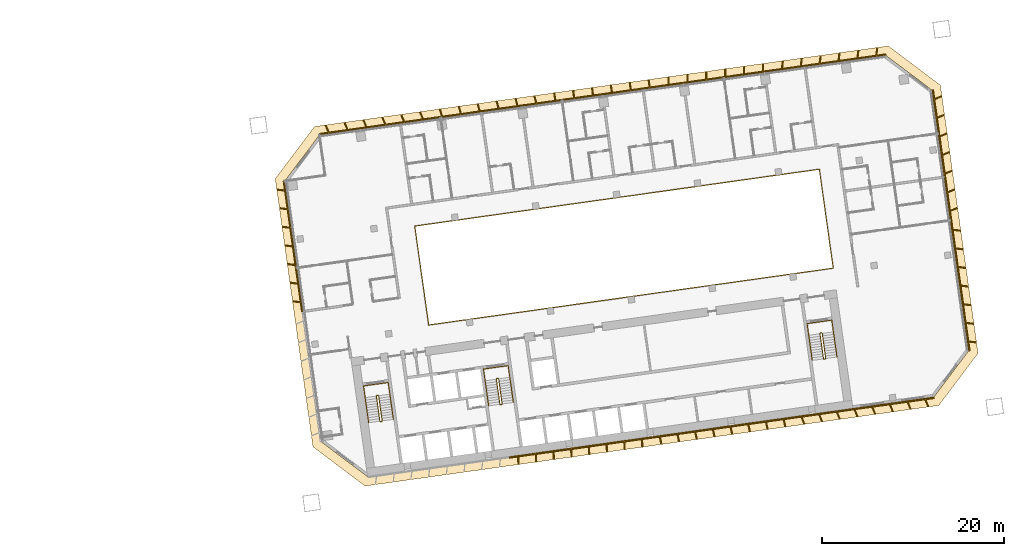
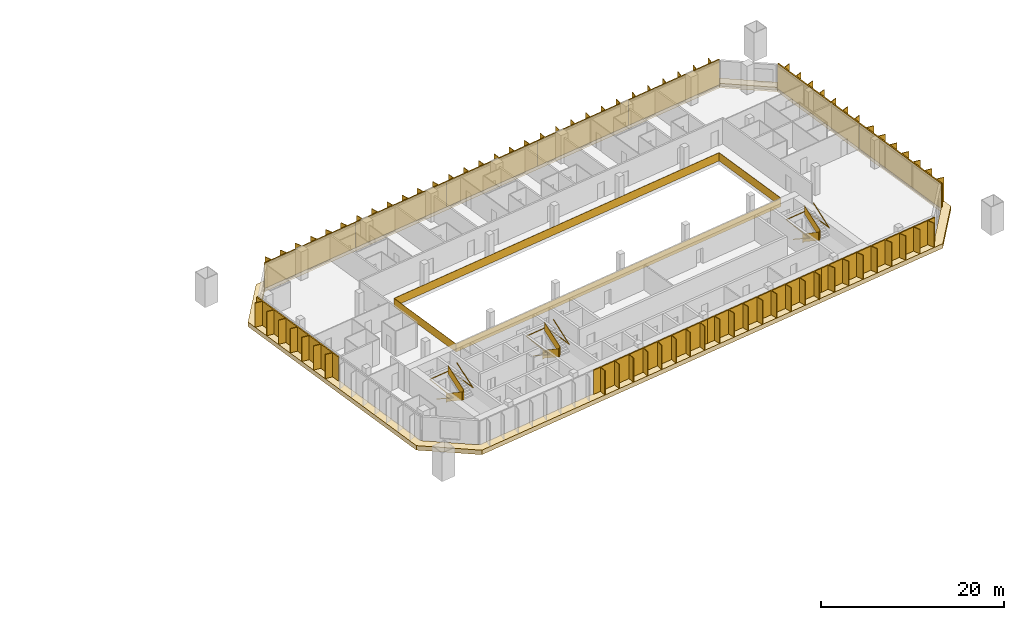
# One storey, part 25 of 25: 11 shading devices, 7 railings, 1 covering.
"""IFC4 building model written with IfcOpenShell, lengths in metres."""

from ifc_helpers import new_model, si_unit, direction, frame, origin, origin_2d, place, context, subcontext, project, spatial, polyline, rectangle, outline, extrude, material, layer, layer_set, type_object, element, save


model = new_model("IFC4")

# Units and contexts
model_context = context("Model", 3, precision=1e-05, world=origin(), true_north=direction((0.0, 1.0)))
body_context = subcontext(model_context, "Body", "Model", "MODEL_VIEW")
ifc_project = project(units=[si_unit("LENGTHUNIT", "METRE"), si_unit("AREAUNIT", "SQUARE_METRE"), si_unit("VOLUMEUNIT", "CUBIC_METRE"), si_unit("PLANEANGLEUNIT", "RADIAN"), si_unit("MASSUNIT", "GRAM", prefix="KILO")], contexts=[model_context])

# Site, building, storey
site_placement = place(None, origin())
site = spatial("IfcSite", under=ifc_project, at=site_placement, CompositionType="ELEMENT")
building_placement = place(site_placement, origin())
building = spatial("IfcBuilding", under=site, at=building_placement, Name="Mirante Cascada Hotel Towers", CompositionType="ELEMENT")
storey_placement = place(building_placement, frame((0.0, 0.0, 54.7)))
storey = spatial("IfcBuildingStorey", under=building, at=storey_placement, Name="L10", CompositionType="ELEMENT", Elevation=54.7)

# Railing
ifc_material_1 = material(Name="Toughened glass with stainless steel handrail", Category="steel")
railing_type_1 = type_object("IfcRailingType", Name="Atrium guard 1100 glass balustrade", PredefinedType="GUARDRAIL", material=ifc_material_1)
railing_1_placement = place(storey_placement, frame((43.8418, -3.4881, 0.0)))
element("IfcRailing", 1, at=railing_1_placement, inside=storey, type_object=railing_type_1, Name="GUARD 2-L10-1", PredefinedType="GUARDRAIL", context=body_context, shape_type="SweptSolid", body=[
    extrude(rectangle(XDim=0.048, YDim=0.048, at=origin_2d()), frame((0.0, 0.0, 1.076), z_axis=(0.9902681, 0.1391732, 0.0), x_axis=(-0.1391732, 0.9902681, 0.0)), (0.0, 0.0, 1.0), 45.0),
    extrude(rectangle(XDim=0.02, YDim=1.052, at=origin_2d()), frame((0.0, 0.0, 0.526), z_axis=(0.9902681, 0.1391732, 0.0), x_axis=(-0.1391732, 0.9902681, 0.0)), (0.0, 0.0, 1.0), 45.0),
    extrude(rectangle(XDim=0.048, YDim=0.048, at=origin_2d()), frame((44.5621, 6.2628, 1.076), z_axis=(-0.1391721, 0.9902682, 0.0), x_axis=(-0.9902682, -0.1391721, 0.0)), (0.0, 0.0, 1.0), 11.0001),
    extrude(rectangle(XDim=0.02, YDim=1.052, at=origin_2d()), frame((44.5621, 6.2628, 0.526), z_axis=(-0.1391721, 0.9902682, 0.0), x_axis=(-0.9902682, -0.1391721, 0.0)), (0.0, 0.0, 1.0), 11.0001),
    extrude(rectangle(XDim=0.048, YDim=0.048, at=origin_2d()), frame((43.0312, 17.1558, 1.076), z_axis=(-0.9902681, -0.1391732, 0.0), x_axis=(0.1391732, -0.9902681, 0.0)), (0.0, 0.0, 1.0), 45.0),
    extrude(rectangle(XDim=0.02, YDim=1.052, at=origin_2d()), frame((43.0312, 17.1558, 0.526), z_axis=(-0.9902681, -0.1391732, 0.0), x_axis=(0.1391732, -0.9902681, 0.0)), (0.0, 0.0, 1.0), 45.0),
    extrude(rectangle(XDim=0.048, YDim=0.048, at=origin_2d()), frame((-1.5309, 10.893, 1.076), z_axis=(0.1391721, -0.9902682, 0.0), x_axis=(0.9902682, 0.1391721, 0.0)), (0.0, 0.0, 1.0), 11.0001),
    extrude(rectangle(XDim=0.02, YDim=1.052, at=origin_2d()), frame((-1.5309, 10.893, 0.526), z_axis=(0.1391721, -0.9902682, 0.0), x_axis=(0.9902682, 0.1391721, 0.0)), (0.0, 0.0, 1.0), 11.0001),
])

# Covering
ifc_material_2 = material(Name="Precast concrete C40/50 white", Category="concrete")
ifc_layer = layer(ifc_material_2, 0.6)
ifc_layer_set = layer_set([ifc_layer], Name="Precast concrete SUNSHADE band 1000x600")
covering_type = type_object("IfcCoveringType", Name="Precast concrete SUNSHADE band 1000x600", PredefinedType="CLADDING", material=ifc_layer_set)
covering_placement = place(storey_placement, frame((0.0, 0.0, -0.45)))
element("IfcCovering", 2, at=covering_placement, inside=storey, type_object=covering_type, Name="Precast concrete SUNSHADE band T2 L10", PredefinedType="CLADDING", context=body_context, shape_type="SweptSolid", body=[
    extrude(outline(polyline([(26.9341, 12.6299), (31.2626, 18.374), (94.4698, 27.2572), (100.2139, 22.9287), (104.3652, -6.6094), (100.0367, -12.3535), (36.8295, -21.2367), (31.0854, -16.9082), (26.9341, 12.6299)]), holes=[polyline([(103.3173, -6.3384), (99.2813, 22.3794), (94.1988, 26.2093), (31.8119, 17.4414), (27.982, 12.3589), (32.018, -16.3589), (37.1005, -20.1888), (99.4874, -11.4209), (103.3173, -6.3384)])]), origin(), (0.0, 0.0, 1.0), 0.6),
])

# Railings
ifc_material_3 = material(Name="Painted steel", Category="steel")
railing_type_2 = type_object("IfcRailingType", Name="Stair guard 1100 steel balustrade", PredefinedType="GUARDRAIL", material=ifc_material_3)
railing_2_placement = place(storey_placement, frame((38.2663, -11.2395, 0.0)))
element("IfcRailing", 3, at=railing_2_placement, inside=storey, type_object=railing_type_2, Name="L10 ST2-A stair guard 1", PredefinedType="GUARDRAIL", context=body_context, shape_type="SweptSolid", body=[
    extrude(rectangle(XDim=0.048, YDim=0.048, at=origin_2d()), frame((0.0, 0.0, 1.076), z_axis=(-0.9903326, -0.1387133, 0.0), x_axis=(0.1387133, -0.9903326, 0.0)), (0.0, 0.0, 1.0), 0.1499),
    extrude(rectangle(XDim=0.02, YDim=1.052, at=origin_2d()), frame((0.0, 0.0, 0.526), z_axis=(-0.9903326, -0.1387133, 0.0), x_axis=(0.1387133, -0.9903326, 0.0)), (0.0, 0.0, 1.0), 0.1499),
    extrude(rectangle(XDim=0.048, YDim=0.048, at=origin_2d()), frame((-0.1485, -0.0208, 1.076), z_axis=(-0.6020331, -0.7984711, 0.0), x_axis=(0.7984711, -0.6020331, 0.0)), (0.0, 0.9253398, 0.3791387), 0.1866),
    extrude(rectangle(XDim=0.02, YDim=1.052, at=origin_2d()), frame((-0.1485, -0.0208, 0.526), z_axis=(-0.6020331, -0.7984711, 0.0), x_axis=(0.7984711, -0.6020331, 0.0)), (0.0, 0.9253398, 0.3791387), 0.1866),
    extrude(rectangle(XDim=0.048, YDim=0.048, at=origin_2d()), frame((-0.1911, -0.0773, 1.2487), z_axis=(0.139176, -0.9902677, 0.0), x_axis=(0.9902677, 0.139176, 0.0)), (0.0, 0.5250212, 0.8510891), 3.29),
    extrude(rectangle(XDim=0.02, YDim=1.052, at=origin_2d()), frame((-0.1911, -0.0773, 0.6987), z_axis=(0.139176, -0.9902677, 0.0), x_axis=(0.9902677, 0.139176, 0.0)), (0.0, 0.5250212, 0.8510891), 3.29),
    extrude(rectangle(XDim=0.048, YDim=0.048, at=origin_2d()), frame((0.1986, -2.8501, 2.976), z_axis=(0.9944948, -0.1047858, 0.0), x_axis=(0.1047858, 0.9944948, 0.0)), (0.0, 0.0, 1.0), 0.2061),
    extrude(rectangle(XDim=0.02, YDim=1.052, at=origin_2d()), frame((0.1986, -2.8501, 2.426), z_axis=(0.9944948, -0.1047858, 0.0), x_axis=(0.1047858, 0.9944948, 0.0)), (0.0, 0.0, 1.0), 0.2061),
    extrude(rectangle(XDim=0.048, YDim=0.048, at=origin_2d()), frame((0.4036, -2.8717, 2.976), z_axis=(-0.9902408, -0.1393672, 0.0), x_axis=(0.1393672, -0.9902408, 0.0)), (0.0, 0.0, 1.0), 0.15),
    extrude(rectangle(XDim=0.02, YDim=1.052, at=origin_2d()), frame((0.4036, -2.8717, 2.426), z_axis=(-0.9902408, -0.1393672, 0.0), x_axis=(0.1393672, -0.9902408, 0.0)), (0.0, 0.0, 1.0), 0.15),
    extrude(rectangle(XDim=0.048, YDim=0.048, at=origin_2d()), frame((0.2551, -2.8926, 2.976), z_axis=(0.9270311, 0.3749843, 0.0), x_axis=(-0.3749843, 0.9270311, 0.0)), (0.0, 0.6421903, 0.7665452), 0.2689),
    extrude(rectangle(XDim=0.02, YDim=1.052, at=origin_2d()), frame((0.2551, -2.8926, 2.426), z_axis=(0.9270311, 0.3749843, 0.0), x_axis=(-0.3749843, 0.9270311, 0.0)), (0.0, 0.6421903, 0.7665452), 0.2689),
    extrude(rectangle(XDim=0.048, YDim=0.048, at=origin_2d()), frame((0.4462, -2.8153, 3.1487), z_axis=(-0.139176, 0.9902677, 0.0), x_axis=(-0.9902677, -0.139176, 0.0)), (0.0, 0.5250212, 0.8510891), 3.29),
    extrude(rectangle(XDim=0.02, YDim=1.052, at=origin_2d()), frame((0.4462, -2.8153, 2.5987), z_axis=(-0.139176, 0.9902677, 0.0), x_axis=(-0.9902677, -0.139176, 0.0)), (0.0, 0.5250212, 0.8510891), 3.29),
])
railing_3_placement = place(storey_placement, frame((51.4864, -9.3815, 0.0)))
element("IfcRailing", 4, at=railing_3_placement, inside=storey, type_object=railing_type_2, Name="L10 ST2-B stair guard 1", PredefinedType="GUARDRAIL", context=body_context, shape_type="SweptSolid", body=[
    extrude(rectangle(XDim=0.048, YDim=0.048, at=origin_2d()), frame((0.0, 0.0, 1.076), z_axis=(-0.9902408, -0.1393672, 0.0), x_axis=(0.1393672, -0.9902408, 0.0)), (0.0, 0.0, 1.0), 0.15),
    extrude(rectangle(XDim=0.02, YDim=1.052, at=origin_2d()), frame((0.0, 0.0, 0.526), z_axis=(-0.9902408, -0.1393672, 0.0), x_axis=(0.1393672, -0.9902408, 0.0)), (0.0, 0.0, 1.0), 0.15),
    extrude(rectangle(XDim=0.048, YDim=0.048, at=origin_2d()), frame((-0.1485, -0.0209, 1.076), z_axis=(-0.6020331, -0.7984711, 0.0), x_axis=(0.7984711, -0.6020331, 0.0)), (0.0, 0.9253398, 0.3791387), 0.1866),
    extrude(rectangle(XDim=0.02, YDim=1.052, at=origin_2d()), frame((-0.1485, -0.0209, 0.526), z_axis=(-0.6020331, -0.7984711, 0.0), x_axis=(0.7984711, -0.6020331, 0.0)), (0.0, 0.9253398, 0.3791387), 0.1866),
    extrude(rectangle(XDim=0.048, YDim=0.048, at=origin_2d()), frame((-0.1911, -0.0774, 1.2487), z_axis=(0.139181, -0.990267, 0.0), x_axis=(0.990267, 0.139181, 0.0)), (0.0, 0.5250347, 0.8510808), 3.2899),
    extrude(rectangle(XDim=0.02, YDim=1.052, at=origin_2d()), frame((-0.1911, -0.0774, 0.6987), z_axis=(0.139181, -0.990267, 0.0), x_axis=(0.990267, 0.139181, 0.0)), (0.0, 0.5250347, 0.8510808), 3.2899),
    extrude(rectangle(XDim=0.048, YDim=0.048, at=origin_2d()), frame((0.1986, -2.8501, 2.976), z_axis=(0.9944441, -0.1052656, 0.0), x_axis=(0.1052656, 0.9944441, 0.0)), (0.0, 0.0, 1.0), 0.2061),
    extrude(rectangle(XDim=0.02, YDim=1.052, at=origin_2d()), frame((0.1986, -2.8501, 2.426), z_axis=(0.9944441, -0.1052656, 0.0), x_axis=(0.1052656, 0.9944441, 0.0)), (0.0, 0.0, 1.0), 0.2061),
    extrude(rectangle(XDim=0.048, YDim=0.048, at=origin_2d()), frame((0.4036, -2.8718, 2.976), z_axis=(-0.9902408, -0.1393672, 0.0), x_axis=(0.1393672, -0.9902408, 0.0)), (0.0, 0.0, 1.0), 0.15),
    extrude(rectangle(XDim=0.02, YDim=1.052, at=origin_2d()), frame((0.4036, -2.8718, 2.426), z_axis=(-0.9902408, -0.1393672, 0.0), x_axis=(0.1393672, -0.9902408, 0.0)), (0.0, 0.0, 1.0), 0.15),
    extrude(rectangle(XDim=0.048, YDim=0.048, at=origin_2d()), frame((0.2551, -2.8927, 2.976), z_axis=(0.9268624, 0.3754011, 0.0), x_axis=(-0.3754011, 0.9268624, 0.0)), (0.0, 0.6421217, 0.7666028), 0.269),
    extrude(rectangle(XDim=0.02, YDim=1.052, at=origin_2d()), frame((0.2551, -2.8927, 2.426), z_axis=(0.9268624, 0.3754011, 0.0), x_axis=(-0.3754011, 0.9268624, 0.0)), (0.0, 0.6421217, 0.7666028), 0.269),
    extrude(rectangle(XDim=0.048, YDim=0.048, at=origin_2d()), frame((0.4462, -2.8153, 3.1487), z_axis=(-0.139181, 0.990267, 0.0), x_axis=(-0.990267, -0.139181, 0.0)), (0.0, 0.5250347, 0.8510808), 3.2899),
    extrude(rectangle(XDim=0.02, YDim=1.052, at=origin_2d()), frame((0.4462, -2.8153, 2.5987), z_axis=(-0.139181, 0.990267, 0.0), x_axis=(-0.990267, -0.139181, 0.0)), (0.0, 0.5250347, 0.8510808), 3.2899),
])
railing_4_placement = place(storey_placement, frame((87.1361, -4.3713, 0.0)))
element("IfcRailing", 5, at=railing_4_placement, inside=storey, type_object=railing_type_2, Name="L10 ST2-C stair guard 1", PredefinedType="GUARDRAIL", context=body_context, shape_type="SweptSolid", body=[
    extrude(rectangle(XDim=0.048, YDim=0.048, at=origin_2d()), frame((0.0, 0.0, 1.076), z_axis=(-0.9902537, -0.1392753, 0.0), x_axis=(0.1392753, -0.9902537, 0.0)), (0.0, 0.0, 1.0), 0.1501),
    extrude(rectangle(XDim=0.02, YDim=1.052, at=origin_2d()), frame((0.0, 0.0, 0.526), z_axis=(-0.9902537, -0.1392753, 0.0), x_axis=(0.1392753, -0.9902537, 0.0)), (0.0, 0.0, 1.0), 0.1501),
    extrude(rectangle(XDim=0.048, YDim=0.048, at=origin_2d()), frame((-0.1486, -0.0209, 1.076), z_axis=(-0.601811, -0.7986386, 0.0), x_axis=(0.7986386, -0.601811, 0.0)), (0.0, 0.925603, 0.3784959), 0.1866),
    extrude(rectangle(XDim=0.02, YDim=1.052, at=origin_2d()), frame((-0.1486, -0.0209, 0.526), z_axis=(-0.601811, -0.7986386, 0.0), x_axis=(0.7986386, -0.601811, 0.0)), (0.0, 0.925603, 0.3784959), 0.1866),
    extrude(rectangle(XDim=0.048, YDim=0.048, at=origin_2d()), frame((-0.1911, -0.0773, 1.2487), z_axis=(0.139176, -0.9902677, 0.0), x_axis=(0.9902677, 0.139176, 0.0)), (0.0, 0.5250212, 0.8510891), 3.29),
    extrude(rectangle(XDim=0.02, YDim=1.052, at=origin_2d()), frame((-0.1911, -0.0773, 0.6987), z_axis=(0.139176, -0.9902677, 0.0), x_axis=(0.9902677, 0.139176, 0.0)), (0.0, 0.5250212, 0.8510891), 3.29),
    extrude(rectangle(XDim=0.048, YDim=0.048, at=origin_2d()), frame((0.1986, -2.8501, 2.976), z_axis=(0.9944441, -0.1052656, 0.0), x_axis=(0.1052656, 0.9944441, 0.0)), (0.0, 0.0, 1.0), 0.2061),
    extrude(rectangle(XDim=0.02, YDim=1.052, at=origin_2d()), frame((0.1986, -2.8501, 2.426), z_axis=(0.9944441, -0.1052656, 0.0), x_axis=(0.1052656, 0.9944441, 0.0)), (0.0, 0.0, 1.0), 0.2061),
    extrude(rectangle(XDim=0.048, YDim=0.048, at=origin_2d()), frame((0.4036, -2.8718, 2.976), z_axis=(-0.9903454, -0.1386217, 0.0), x_axis=(0.1386217, -0.9903454, 0.0)), (0.0, 0.0, 1.0), 0.15),
    extrude(rectangle(XDim=0.02, YDim=1.052, at=origin_2d()), frame((0.4036, -2.8718, 2.426), z_axis=(-0.9903454, -0.1386217, 0.0), x_axis=(0.1386217, -0.9903454, 0.0)), (0.0, 0.0, 1.0), 0.15),
    extrude(rectangle(XDim=0.048, YDim=0.048, at=origin_2d()), frame((0.255, -2.8926, 2.976), z_axis=(0.9270311, 0.3749843, 0.0), x_axis=(-0.3749843, 0.9270311, 0.0)), (0.0, 0.6421903, 0.7665452), 0.2689),
    extrude(rectangle(XDim=0.02, YDim=1.052, at=origin_2d()), frame((0.255, -2.8926, 2.426), z_axis=(0.9270311, 0.3749843, 0.0), x_axis=(-0.3749843, 0.9270311, 0.0)), (0.0, 0.6421903, 0.7665452), 0.2689),
    extrude(rectangle(XDim=0.048, YDim=0.048, at=origin_2d()), frame((0.4461, -2.8153, 3.1487), z_axis=(-0.139176, 0.9902677, 0.0), x_axis=(-0.9902677, -0.139176, 0.0)), (0.0, 0.5250212, 0.8510891), 3.29),
    extrude(rectangle(XDim=0.02, YDim=1.052, at=origin_2d()), frame((0.4461, -2.8153, 2.5987), z_axis=(-0.139176, 0.9902677, 0.0), x_axis=(-0.9902677, -0.139176, 0.0)), (0.0, 0.5250212, 0.8510891), 3.29),
])
ifc_material_4 = material(Name="Painted steel", Category="steel")
railing_type_3 = type_object("IfcRailingType", Name="Stair handrail 900 steel tube", PredefinedType="HANDRAIL", material=ifc_material_4)
railing_5_placement = place(storey_placement, frame((36.8374, -11.4908, 0.1727)))
element("IfcRailing", 6, at=railing_5_placement, inside=storey, type_object=railing_type_3, Name="L10 ST2-A stair handrail 1", PredefinedType="HANDRAIL", context=body_context, shape_type="SweptSolid", body=[
    extrude(rectangle(XDim=0.048, YDim=0.048, at=origin_2d()), frame((0.0, 0.0, 0.876), z_axis=(0.139181, -0.990267, 0.0), x_axis=(0.990267, 0.139181, 0.0)), (0.0, 0.5250347, 0.8510808), 3.2899),
    extrude(rectangle(XDim=0.048, YDim=0.048, at=origin_2d()), frame((0.3897, -2.7727, 2.6033), z_axis=(-0.1391707, 0.9902684, 0.0), x_axis=(-0.9902684, -0.1391707, 0.0)), (0.0, 0.0420846, 0.999114), 4.1036),
    extrude(rectangle(XDim=0.048, YDim=0.048, at=origin_2d()), frame((-0.1809, 1.2874, 2.776), z_axis=(0.9902691, 0.1391657, 0.0), x_axis=(-0.1391657, 0.9902691, 0.0)), (0.0, 0.0, 1.0), 2.75),
    extrude(rectangle(XDim=0.048, YDim=0.048, at=origin_2d()), frame((2.5423, 1.6701, 2.776), z_axis=(0.1391707, -0.9902684, 0.0), x_axis=(0.9902684, 0.1391707, 0.0)), (0.0, 0.0, 1.0), 4.1),
    extrude(rectangle(XDim=0.048, YDim=0.048, at=origin_2d()), frame((3.1129, -2.39, 2.776), z_axis=(-0.139181, 0.990267, 0.0), x_axis=(-0.990267, -0.139181, 0.0)), (0.0, 0.5250347, 0.8510808), 3.2899),
])
railing_6_placement = place(storey_placement, frame((50.0575, -9.6328, 0.1727)))
element("IfcRailing", 7, at=railing_6_placement, inside=storey, type_object=railing_type_3, Name="L10 ST2-B stair handrail 1", PredefinedType="HANDRAIL", context=body_context, shape_type="SweptSolid", body=[
    extrude(rectangle(XDim=0.048, YDim=0.048, at=origin_2d()), frame((0.0, 0.0, 0.876), z_axis=(0.139176, -0.9902677, 0.0), x_axis=(0.9902677, 0.139176, 0.0)), (0.0, 0.5250212, 0.8510891), 3.29),
    extrude(rectangle(XDim=0.048, YDim=0.048, at=origin_2d()), frame((0.3897, -2.7728, 2.6033), z_axis=(-0.1391707, 0.9902684, 0.0), x_axis=(-0.9902684, -0.1391707, 0.0)), (0.0, 0.0420846, 0.999114), 4.1036),
    extrude(rectangle(XDim=0.048, YDim=0.048, at=origin_2d()), frame((-0.1809, 1.2873, 2.776), z_axis=(0.9902641, 0.1392013, 0.0), x_axis=(-0.1392013, 0.9902641, 0.0)), (0.0, 0.0, 1.0), 2.75),
    extrude(rectangle(XDim=0.048, YDim=0.048, at=origin_2d()), frame((2.5423, 1.6701, 2.776), z_axis=(0.1391707, -0.9902684, 0.0), x_axis=(0.9902684, 0.1391707, 0.0)), (0.0, 0.0, 1.0), 4.1),
    extrude(rectangle(XDim=0.048, YDim=0.048, at=origin_2d()), frame((3.1129, -2.39, 2.776), z_axis=(-0.139181, 0.990267, 0.0), x_axis=(-0.990267, -0.139181, 0.0)), (0.0, 0.5250347, 0.8510808), 3.2899),
])
railing_7_placement = place(storey_placement, frame((85.7071, -4.6226, 0.1727)))
element("IfcRailing", 8, at=railing_7_placement, inside=storey, type_object=railing_type_3, Name="L10 ST2-C stair handrail 1", PredefinedType="HANDRAIL", context=body_context, shape_type="SweptSolid", body=[
    extrude(rectangle(XDim=0.048, YDim=0.048, at=origin_2d()), frame((0.0, 0.0, 0.876), z_axis=(0.139181, -0.990267, 0.0), x_axis=(0.990267, 0.139181, 0.0)), (0.0, 0.5250347, 0.8510808), 3.2899),
    extrude(rectangle(XDim=0.048, YDim=0.048, at=origin_2d()), frame((0.3897, -2.7727, 2.6033), z_axis=(-0.1391707, 0.9902684, 0.0), x_axis=(-0.9902684, -0.1391707, 0.0)), (0.0, 0.0420846, 0.999114), 4.1036),
    extrude(rectangle(XDim=0.048, YDim=0.048, at=origin_2d()), frame((-0.1809, 1.2874, 2.776), z_axis=(0.9902691, 0.1391657, 0.0), x_axis=(-0.1391657, 0.9902691, 0.0)), (0.0, 0.0, 1.0), 2.75),
    extrude(rectangle(XDim=0.048, YDim=0.048, at=origin_2d()), frame((2.5423, 1.6701, 2.776), z_axis=(0.1391947, -0.990265, 0.0), x_axis=(0.990265, 0.1391947, 0.0)), (0.0, 0.0, 1.0), 4.1),
    extrude(rectangle(XDim=0.048, YDim=0.048, at=origin_2d()), frame((3.113, -2.39, 2.776), z_axis=(-0.139181, 0.990267, 0.0), x_axis=(-0.990267, -0.139181, 0.0)), (0.0, 0.5250347, 0.8510808), 3.2899),
])

# Shading devices
ifc_material_5 = material(Name="White precast concrete C50/60 fin", Category="concrete")
shading_device_type = type_object("IfcShadingDeviceType", Name="Vertical fin set 4500x900", PredefinedType="USERDEFINED", material=ifc_material_5)
shading_device_1_placement = place(storey_placement, origin())
element("IfcShadingDevice", 9, at=shading_device_1_placement, inside=storey, type_object=shading_device_type, Name="FIN T2 L10 front 1", ObjectType="FIN", PredefinedType="USERDEFINED", context=body_context, shape_type="SweptSolid", body=[
    extrude(outline(polyline([(82.8967, 25.5893), (82.7946, 24.758), (84.7922, 25.0387), (84.8968, 25.8913), (84.9762, 25.8815), (84.8742, 25.0503), (86.8717, 25.331), (86.9764, 26.1835), (87.0558, 26.1738), (86.9537, 25.3425), (88.9513, 25.6233), (89.056, 26.4758), (89.1354, 26.4661), (89.0333, 25.6348), (91.0308, 25.9155), (91.1355, 26.7681), (91.2149, 26.7583), (91.1129, 25.9271), (93.1104, 26.2078), (93.2151, 27.0603), (93.2945, 27.0506), (93.1924, 26.2193), (94.1779, 26.3578), (94.1988, 26.2093), (81.7214, 24.4557), (81.7006, 24.6042), (82.7126, 24.7465), (82.8173, 25.599), (82.8967, 25.5893)])), origin(), (0.0, 0.0, 1.0), 3.35),
])
shading_device_2_placement = place(storey_placement, origin())
element("IfcShadingDevice", 10, at=shading_device_2_placement, inside=storey, type_object=shading_device_type, Name="FIN T2 L10 front 2", ObjectType="FIN", PredefinedType="USERDEFINED", context=body_context, shape_type="SweptSolid", body=[
    extrude(outline(polyline([(70.3021, 23.8476), (70.3094, 23.0033), (72.3091, 23.2844), (72.3016, 24.1392), (72.3816, 24.1399), (72.389, 23.2956), (74.3886, 23.5766), (74.3812, 24.4314), (74.4612, 24.4321), (74.4686, 23.5878), (76.4682, 23.8689), (76.4608, 24.7237), (76.5407, 24.7244), (76.5481, 23.8801), (78.5478, 24.1611), (78.5403, 25.0159), (78.6203, 25.0166), (78.6277, 24.1724), (80.6273, 24.4534), (80.6199, 25.3082), (80.6999, 25.3089), (80.7072, 24.4646), (81.7006, 24.6042), (81.7214, 24.4557), (69.2441, 22.7021), (69.2232, 22.8507), (70.2295, 22.9921), (70.2221, 23.8469), (70.3021, 23.8476)])), origin(), (0.0, 0.0, 1.0), 3.35),
])
shading_device_3_placement = place(storey_placement, origin())
element("IfcShadingDevice", 11, at=shading_device_3_placement, inside=storey, type_object=shading_device_type, Name="FIN T2 L10 front 3", ObjectType="FIN", PredefinedType="USERDEFINED", context=body_context, shape_type="SweptSolid", body=[
    extrude(outline(polyline([(57.7069, 22.0905), (57.8252, 21.2488), (59.8255, 21.5299), (59.7072, 22.3716), (59.7865, 22.3828), (59.9048, 21.541), (61.9051, 21.8222), (61.7868, 22.6639), (61.866, 22.675), (61.9843, 21.8333), (63.9847, 22.1144), (63.8664, 22.9562), (63.9456, 22.9673), (64.0639, 22.1256), (66.0642, 22.4067), (65.9459, 23.2484), (66.0251, 23.2596), (66.1434, 22.4178), (68.1438, 22.699), (68.0255, 23.5407), (68.1047, 23.5518), (68.223, 22.7101), (69.2232, 22.8507), (69.2441, 22.7021), (56.7667, 20.9485), (56.7458, 21.0971), (57.746, 21.2376), (57.6277, 22.0794), (57.7069, 22.0905)])), origin(), (0.0, 0.0, 1.0), 3.35),
])
shading_device_4_placement = place(storey_placement, origin())
element("IfcShadingDevice", 12, at=shading_device_4_placement, inside=storey, type_object=shading_device_type, Name="FIN T2 L10 front 4", ObjectType="FIN", PredefinedType="USERDEFINED", context=body_context, shape_type="SweptSolid", body=[
    extrude(outline(polyline([(45.1132, 20.3181), (45.3416, 19.4943), (47.3413, 19.7754), (47.1157, 20.589), (47.1928, 20.6103), (47.4212, 19.7866), (49.4209, 20.0676), (49.1952, 20.8812), (49.2723, 20.9026), (49.5008, 20.0789), (51.5004, 20.3599), (51.2748, 21.1735), (51.3519, 21.1949), (51.5803, 20.3711), (53.58, 20.6521), (53.3544, 21.4657), (53.4314, 21.4871), (53.6599, 20.6634), (55.6595, 20.9444), (55.4339, 21.758), (55.511, 21.7794), (55.7394, 20.9556), (56.7458, 21.0971), (56.7667, 20.9485), (44.2893, 19.195), (44.2684, 19.3435), (45.2617, 19.4831), (45.0361, 20.2967), (45.1132, 20.3181)])), origin(), (0.0, 0.0, 1.0), 3.35),
])
shading_device_5_placement = place(storey_placement, origin())
element("IfcShadingDevice", 13, at=shading_device_5_placement, inside=storey, type_object=shading_device_type, Name="FIN T2 L10 front 5", ObjectType="FIN", PredefinedType="USERDEFINED", context=body_context, shape_type="SweptSolid", body=[
    extrude(outline(polyline([(32.5229, 18.5306), (32.8586, 17.7399), (34.8561, 18.0207), (34.5289, 18.7916), (34.6025, 18.8229), (34.9381, 18.0322), (36.9357, 18.3129), (36.6084, 19.0839), (36.6821, 19.1151), (37.0177, 18.3245), (39.0152, 18.6052), (38.688, 19.3761), (38.7616, 19.4074), (39.0973, 18.6167), (41.0948, 18.8975), (40.7676, 19.6684), (40.8412, 19.6997), (41.1768, 18.909), (43.1744, 19.1897), (42.8471, 19.9607), (42.9208, 19.9919), (43.2564, 19.2013), (44.2684, 19.3435), (44.2893, 19.195), (31.8119, 17.4414), (31.791, 17.5899), (32.7765, 17.7284), (32.4493, 18.4994), (32.5229, 18.5306)])), origin(), (0.0, 0.0, 1.0), 3.35),
])
shading_device_6_placement = place(storey_placement, origin())
element("IfcShadingDevice", 14, at=shading_device_6_placement, inside=storey, type_object=shading_device_type, Name="FIN T2 L10 inner 1", ObjectType="FIN", PredefinedType="USERDEFINED", context=body_context, shape_type="SweptSolid", body=[
    extrude(outline(polyline([(28.8684, -0.8389), (29.6997, -0.941), (29.4229, 1.0283), (28.5704, 1.133), (28.5801, 1.2124), (29.4114, 1.1103), (29.1346, 3.0796), (28.2821, 3.1842), (28.2918, 3.2636), (29.1231, 3.1616), (28.8464, 5.1308), (27.9938, 5.2355), (28.0036, 5.3149), (28.8348, 5.2128), (28.5581, 7.1821), (27.7055, 7.2868), (27.7153, 7.3662), (28.5465, 7.2641), (28.2698, 9.2334), (27.4172, 9.338), (27.427, 9.4174), (28.2583, 9.3154), (27.9815, 11.2846), (27.1289, 11.3893), (27.1387, 11.4687), (27.97, 11.3667), (27.8334, 12.338), (27.982, 12.3589), (30.0, -2.0), (29.8515, -2.0209), (29.7112, -1.023), (28.8587, -0.9183), (28.8684, -0.8389)])), origin(), (0.0, 0.0, 1.0), 3.35),
])
shading_device_7_placement = place(storey_placement, origin())
element("IfcShadingDevice", 15, at=shading_device_7_placement, inside=storey, type_object=shading_device_type, Name="FIN T2 L10 outer 1", ObjectType="FIN", PredefinedType="USERDEFINED", context=body_context, shape_type="SweptSolid", body=[
    extrude(outline(polyline([(104.1606, -5.4483), (103.3293, -5.3462), (103.4659, -6.3175), (103.3173, -6.3384), (101.2993, 8.0205), (101.4478, 8.0413), (101.5881, 7.0434), (102.4406, 6.9388), (102.4309, 6.8594), (101.5996, 6.9614), (101.8764, 4.9922), (102.7289, 4.8875), (102.7192, 4.8081), (101.8879, 4.9102), (102.1647, 2.9409), (103.0172, 2.8362), (103.0075, 2.7568), (102.1762, 2.8589), (102.4529, 0.8896), (103.3055, 0.785), (103.2957, 0.7056), (102.4645, 0.8076), (102.7412, -1.1616), (103.5938, -1.2663), (103.584, -1.3457), (102.7528, -1.2436), (103.0295, -3.2129), (103.8821, -3.3176), (103.8723, -3.397), (103.041, -3.2949), (103.3178, -5.2642), (104.1704, -5.3689), (104.1606, -5.4483)])), origin(), (0.0, 0.0, 1.0), 3.35),
])
shading_device_8_placement = place(storey_placement, origin())
element("IfcShadingDevice", 16, at=shading_device_8_placement, inside=storey, type_object=shading_device_type, Name="FIN T2 L10 outer 2", ObjectType="FIN", PredefinedType="USERDEFINED", context=body_context, shape_type="SweptSolid", body=[
    extrude(outline(polyline([(102.0983, 9.3749), (101.3076, 9.0392), (101.4478, 8.0413), (101.2993, 8.0205), (99.2813, 22.3794), (99.4298, 22.4002), (99.5663, 21.4289), (100.3373, 21.7561), (100.3685, 21.6825), (99.5779, 21.3469), (99.8546, 19.3776), (100.6256, 19.7048), (100.6568, 19.6312), (99.8662, 19.2956), (100.1429, 17.3263), (100.9139, 17.6536), (100.9451, 17.5799), (100.1544, 17.2443), (100.4312, 15.2751), (101.2021, 15.6023), (101.2334, 15.5287), (100.4427, 15.193), (100.7195, 13.2238), (101.4904, 13.551), (101.5217, 13.4774), (100.731, 13.1418), (101.0078, 11.1725), (101.7787, 11.4998), (101.81, 11.4261), (101.0193, 11.0905), (101.2961, 9.1212), (102.067, 9.4485), (102.0983, 9.3749)])), origin(), (0.0, 0.0, 1.0), 3.35),
])
shading_device_9_placement = place(storey_placement, origin())
element("IfcShadingDevice", 17, at=shading_device_9_placement, inside=storey, type_object=shading_device_type, Name="FIN T2 L10 rear 2", ObjectType="FIN", PredefinedType="USERDEFINED", context=body_context, shape_type="SweptSolid", body=[
    extrude(outline(polyline([(53.6931, -18.8597), (53.6488, -18.0146), (52.7181, -18.1454), (52.6972, -17.9968), (68.2939, -15.8049), (68.3148, -15.9534), (67.3755, -16.0854), (67.4201, -16.9376), (67.3402, -16.9417), (67.2959, -16.0966), (65.4259, -16.3594), (65.4705, -17.2116), (65.3906, -17.2157), (65.3463, -16.3706), (63.4763, -16.6334), (63.5209, -17.4856), (63.441, -17.4897), (63.3967, -16.6446), (61.5267, -16.9074), (61.5713, -17.7596), (61.4914, -17.7637), (61.4472, -16.9186), (59.5771, -17.1814), (59.6217, -18.0335), (59.5419, -18.0377), (59.4976, -17.1926), (57.6275, -17.4554), (57.6722, -18.3075), (57.5923, -18.3117), (57.548, -17.4666), (55.6779, -17.7294), (55.7226, -18.5815), (55.6427, -18.5857), (55.5984, -17.7406), (53.7283, -18.0034), (53.773, -18.8555), (53.6931, -18.8597)])), origin(), (0.0, 0.0, 1.0), 3.35),
])
shading_device_10_placement = place(storey_placement, origin())
element("IfcShadingDevice", 18, at=shading_device_10_placement, inside=storey, type_object=shading_device_type, Name="FIN T2 L10 rear 3", ObjectType="FIN", PredefinedType="USERDEFINED", context=body_context, shape_type="SweptSolid", body=[
    extrude(outline(polyline([(69.4461, -16.6528), (69.2542, -15.8214), (68.3148, -15.9534), (68.2939, -15.8049), (83.8907, -13.6129), (83.9115, -13.7614), (82.9808, -13.8922), (83.1712, -14.7168), (83.0933, -14.7348), (82.9013, -13.9034), (81.0312, -14.1662), (81.2216, -14.9908), (81.1437, -15.0088), (80.9517, -14.1774), (79.0817, -14.4402), (79.272, -15.2648), (79.1941, -15.2828), (79.0021, -14.4514), (77.1321, -14.7142), (77.3224, -15.5388), (77.2445, -15.5568), (77.0525, -14.7254), (75.1825, -14.9882), (75.3729, -15.8128), (75.2949, -15.8308), (75.103, -14.9994), (73.2329, -15.2622), (73.4233, -16.0868), (73.3453, -16.1048), (73.1534, -15.2734), (71.2833, -15.5362), (71.4737, -16.3608), (71.3957, -16.3788), (71.2038, -15.5474), (69.3337, -15.8102), (69.5241, -16.6348), (69.4461, -16.6528)])), origin(), (0.0, 0.0, 1.0), 3.35),
])
shading_device_11_placement = place(storey_placement, origin())
element("IfcShadingDevice", 19, at=shading_device_11_placement, inside=storey, type_object=shading_device_type, Name="FIN T2 L10 rear 4", ObjectType="FIN", PredefinedType="USERDEFINED", context=body_context, shape_type="SweptSolid", body=[
    extrude(outline(polyline([(85.1942, -14.419), (84.8586, -13.6283), (83.9115, -13.7614), (83.8907, -13.6129), (99.4874, -11.4209), (99.5083, -11.5694), (98.5877, -11.6988), (98.915, -12.4698), (98.8413, -12.501), (98.5057, -11.7103), (96.6381, -11.9728), (96.9654, -12.7438), (96.8918, -12.775), (96.5561, -11.9843), (94.6886, -12.2468), (95.0158, -13.0178), (94.9422, -13.049), (94.6065, -12.2583), (92.739, -12.5208), (93.0662, -13.2918), (92.9926, -13.323), (92.657, -12.5323), (90.7894, -12.7948), (91.1166, -13.5657), (91.043, -13.597), (90.7074, -12.8063), (88.8398, -13.0688), (89.167, -13.8397), (89.0934, -13.871), (88.7578, -13.0803), (86.8902, -13.3428), (87.2174, -14.1137), (87.1438, -14.145), (86.8082, -13.3543), (84.9406, -13.6168), (85.2679, -14.3877), (85.1942, -14.419)])), origin(), (0.0, 0.0, 1.0), 3.35),
])

save(model, "model.ifc")
